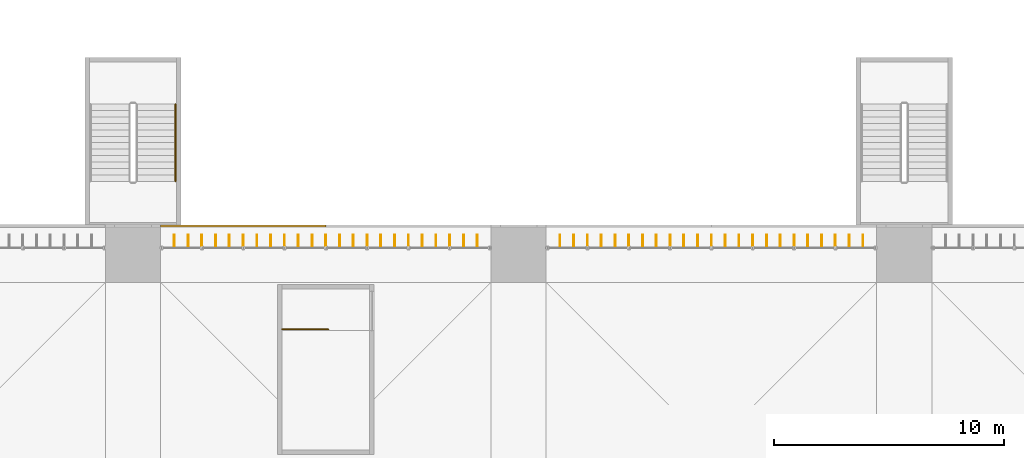
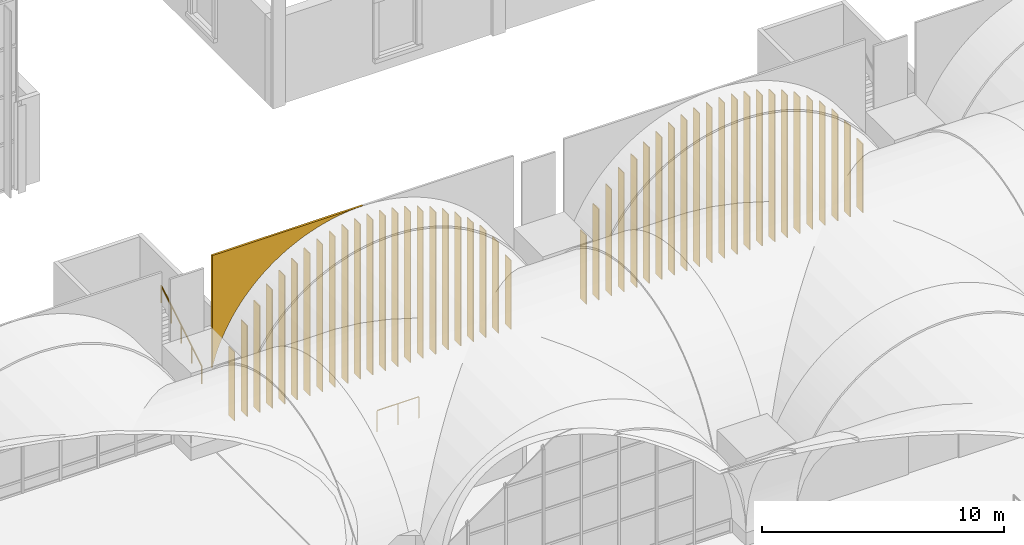
# One storey, part 157 of 169: 46 shading devices, 2 railings, 1 covering.
"""IFC4 building model written with IfcOpenShell, lengths in metres."""

import ifcopenshell
import ifcopenshell.guid

model = None  # the IFC model being written
_history = None  # IfcOwnerHistory: only IFC2X3 demands one
_inside = {}  # id of a spatial element -> (the spatial element, [elements in it])
_under = {}  # id of a project, library or spatial element -> (it, [spatial elements below it])
_declared = {}  # id of a project -> (the project, [libraries it declares])
_typed = {}  # id of a type object -> (the type object, [elements of that type])
_made_of = {}  # id of a material, layer set ... -> (it, [elements and type objects made of it])


def new_model(schema):
    """Start an empty IFC model of exactly this schema.

    Asked for "IFC4X3", IfcOpenShell would pick the latest addendum, in which some entities
    have other attributes; the version numbers below select the first issue.
    IFC2X3 requires an IfcOwnerHistory on every rooted entity: one is made here for all.
    """
    global model, _history
    if schema == "IFC4X3":
        model = ifcopenshell.file(schema_version=(4, 3, 0, 0))
    else:
        model = ifcopenshell.file(schema=schema)
    _inside.clear()
    _under.clear()
    _declared.clear()
    _typed.clear()
    _made_of.clear()
    _history = None
    if model.schema == "IFC2X3":
        org = make("IfcOrganization", Name="unknown")
        user = make(
            "IfcPersonAndOrganization",
            ThePerson=make("IfcPerson", FamilyName="unknown"),
            TheOrganization=org,
        )
        app = make(
            "IfcApplication",
            ApplicationDeveloper=org,
            Version="unknown",
            ApplicationFullName="unknown",
            ApplicationIdentifier="unknown",
        )
        _history = make(
            "IfcOwnerHistory",
            OwningUser=user,
            OwningApplication=app,
            ChangeAction="ADDED",
            CreationDate=0,
        )
    return model


def make(cls, **values):
    """One entity of the class cls with the attributes given. An attribute that is None is left unset."""
    return model.create_entity(
        cls, **{name: value for name, value in values.items() if value is not None}
    )


def rooted(cls, **values):
    """An entity with a GlobalId (a new one), such as an element, a storey or a relation."""
    return make(cls, GlobalId=ifcopenshell.guid.new(), OwnerHistory=_history, **values)


def si_unit(unit_type, name, prefix=None):
    """IfcSIUnit, for example si_unit("LENGTHUNIT", "METRE", prefix="MILLI")."""
    return make("IfcSIUnit", UnitType=unit_type, Prefix=prefix, Name=name)


def assignment(units):
    """IfcUnitAssignment: the units of a project."""
    return None if units is None else make("IfcUnitAssignment", Units=units)


def point(xyz):
    """IfcCartesianPoint."""
    return None if xyz is None else make("IfcCartesianPoint", Coordinates=xyz)


def direction(xyz):
    """IfcDirection."""
    return None if xyz is None else make("IfcDirection", DirectionRatios=xyz)


def frame(location, z_axis=None, x_axis=None):
    """IfcAxis2Placement3D, a coordinate frame: its origin and axes. An axis left out is left unset."""
    return make(
        "IfcAxis2Placement3D",
        Location=point(location),
        Axis=direction(z_axis),
        RefDirection=direction(x_axis),
    )


def frame_2d(location, x_axis=None):
    """IfcAxis2Placement2D, a coordinate frame in the plane: its origin and x axis."""
    return make(
        "IfcAxis2Placement2D", Location=point(location), RefDirection=direction(x_axis)
    )


def origin():
    """The frame at (0, 0, 0) with its axes left unset."""
    return frame((0.0, 0.0, 0.0))


def origin_2d():
    """The frame at (0, 0) in the plane with its x axis left unset."""
    return frame_2d((0.0, 0.0))


def place(relative_to, where):
    """IfcLocalPlacement: puts the frame where relative to a parent placement (None: the world)."""
    return make(
        "IfcLocalPlacement", PlacementRelTo=relative_to, RelativePlacement=where
    )


def context(
    kind, dimensions, precision=None, world=None, true_north=None, identifier=None
):
    """IfcGeometricRepresentationContext, for example the 3D "Model" context."""
    return make(
        "IfcGeometricRepresentationContext",
        ContextIdentifier=identifier,
        ContextType=kind,
        CoordinateSpaceDimension=dimensions,
        Precision=precision,
        WorldCoordinateSystem=world,
        TrueNorth=true_north,
    )


def subcontext(parent, identifier, kind, view, scale=None):
    """IfcGeometricRepresentationSubContext, for example "Body" below "Model"."""
    return make(
        "IfcGeometricRepresentationSubContext",
        ContextIdentifier=identifier,
        ContextType=kind,
        ParentContext=parent,
        TargetScale=scale,
        TargetView=view,
    )


def project(units=None, contexts=None):
    """IfcProject with its units and contexts."""
    return rooted(
        "IfcProject",
        Name="project",
        RepresentationContexts=contexts,
        UnitsInContext=assignment(units),
    )


def spatial(cls, under=None, at=None, **own):
    """A site, building, storey or space (cls), placed at a placement, below another one or the project."""
    s = rooted(cls, ObjectPlacement=at, **own)
    if under is not None:
        _under.setdefault(under.id(), (under, []))[1].append(s)
    return s


def polyline(points):
    """IfcPolyline through the points."""
    return make("IfcPolyline", Points=[point(p) for p in points])


def profile(cls, at=None, kind="AREA", **sizes):
    """A parametric profile (cls). Its sizes go by their IFC names, for example OverallWidth=200.0."""
    return make(cls, ProfileType=kind, Position=at, **sizes)


def circle(**sizes):
    """IfcCircleProfileDef."""
    return profile("IfcCircleProfileDef", **sizes)


def outline(outer, holes=None, kind="AREA"):
    """IfcArbitraryClosedProfileDef: a profile drawn as a closed curve; with holes, ...WithVoids."""
    if holes is None:
        return make("IfcArbitraryClosedProfileDef", ProfileType=kind, OuterCurve=outer)
    return make(
        "IfcArbitraryProfileDefWithVoids",
        ProfileType=kind,
        OuterCurve=outer,
        InnerCurves=holes,
    )


def extrude(swept, where, along, depth):
    """IfcExtrudedAreaSolid: the profile swept, set in the frame where, extruded along a direction by depth."""
    return make(
        "IfcExtrudedAreaSolid",
        SweptArea=swept,
        Position=where,
        ExtrudedDirection=direction(along),
        Depth=depth,
    )


def shape(context_of_items, identifier, shape_type, items):
    """IfcShapeRepresentation: the items that make up one representation, for example the "Body"."""
    return make(
        "IfcShapeRepresentation",
        ContextOfItems=context_of_items,
        RepresentationIdentifier=identifier,
        RepresentationType=shape_type,
        Items=items,
    )


def material(Name=None, Category=None):
    """IfcMaterial."""
    return make("IfcMaterial", Name=Name, Category=Category)


def layer(
    of_material, thickness, ventilated=None, Name=None, Category=None, Priority=None
):
    """IfcMaterialLayer: one layer of a wall or slab, of a material (None: an air gap)."""
    return make(
        "IfcMaterialLayer",
        Material=of_material,
        LayerThickness=thickness,
        IsVentilated=ventilated,
        Name=Name,
        Category=Category,
        Priority=Priority,
    )


def layer_set(layers, Name=None):
    """IfcMaterialLayerSet."""
    return make("IfcMaterialLayerSet", MaterialLayers=layers, LayerSetName=Name)


def made_of(thing, what):
    """Note that an element or type object is made of a material, layer set ...; save() writes the relation."""
    if what is not None:
        _made_of.setdefault(what.id(), (what, []))[1].append(thing)
    return thing


def type_object(cls, material=None, **own):
    """A type object (cls), such as IfcWallType, which elements share."""
    return made_of(rooted(cls, **own), material)


def element(
    cls,
    number,
    at=None,
    inside=None,
    cuts=None,
    type_object=None,
    material=None,
    context=None,
    identifier="Body",
    shape_type=None,
    held_by="IfcProductDefinitionShape",
    body=None,
    shapes=None,
    **own,
):
    """One element of the class cls, such as IfcWall. Its Tag is "e" and its number.

    at: its placement. inside: the storey or other place that contains it. cuts: it is an
    opening in that element (IfcRelVoidsElement). A single representation is given by context,
    identifier, shape_type and body (its items); several are given by shapes. held_by: the class
    of the entity that holds the representations. save() writes the other relations.
    """
    e = rooted(cls, Tag="e%d" % number, ObjectPlacement=at, **own)
    if body is not None:
        shapes = [shape(context, identifier, shape_type, body)]
    if shapes is not None:
        e.Representation = make(held_by, Representations=shapes)
    if inside is not None:
        _inside.setdefault(inside.id(), (inside, []))[1].append(e)
    if cuts is not None:
        rooted(
            "IfcRelVoidsElement", RelatingBuildingElement=cuts, RelatedOpeningElement=e
        )
    if type_object is not None:
        _typed.setdefault(type_object.id(), (type_object, []))[1].append(e)
    return made_of(e, material)


def aggregate(whole, parts):
    """IfcRelAggregates: a whole, such as a stair, and the parts it consists of."""
    return rooted("IfcRelAggregates", RelatingObject=whole, RelatedObjects=parts)


def save(model, path):
    """Write the relations noted so far, then the file.

    IfcRelAggregates (storeys below a building ...), IfcRelContainedInSpatialStructure (elements
    in a storey), IfcRelDefinesByType, IfcRelAssociatesMaterial and IfcRelDeclares: one each for
    every whole, place, type object, material and project.
    """
    for whole, parts in _under.values():
        aggregate(whole, parts)
    for where, things in _inside.values():
        rooted(
            "IfcRelContainedInSpatialStructure",
            RelatedElements=things,
            RelatingStructure=where,
        )
    for kind, things in _typed.values():
        rooted("IfcRelDefinesByType", RelatedObjects=things, RelatingType=kind)
    for what, things in _made_of.values():
        rooted("IfcRelAssociatesMaterial", RelatedObjects=things, RelatingMaterial=what)
    for by, libraries in _declared.values():
        rooted("IfcRelDeclares", RelatingContext=by, RelatedDefinitions=libraries)
    model.write(path)


model = new_model("IFC4")

# Units and contexts
model_context = context("Model", 3, precision=1e-05, world=origin(), true_north=direction((0.0, 1.0)))
body_context = subcontext(model_context, "Body", "Model", "MODEL_VIEW")
ifc_project = project(units=[si_unit("LENGTHUNIT", "METRE"), si_unit("AREAUNIT", "SQUARE_METRE"), si_unit("VOLUMEUNIT", "CUBIC_METRE"), si_unit("PLANEANGLEUNIT", "RADIAN"), si_unit("MASSUNIT", "GRAM", prefix="KILO")], contexts=[model_context])

# Site, building, storey
site_placement = place(None, origin())
site = spatial("IfcSite", under=ifc_project, at=site_placement, CompositionType="ELEMENT")
building_placement = place(site_placement, origin())
building = spatial("IfcBuilding", under=site, at=building_placement, Name="Verrick Yard Athletic Hall", CompositionType="ELEMENT")
storey_placement = place(building_placement, frame((0.0, 0.0, 4.39990234375)))
storey = spatial("IfcBuildingStorey", under=building, at=storey_placement, Name="L01", CompositionType="ELEMENT", Elevation=4.39990234375)

# Shading devices
ifc_material_1 = material(Name="Anodised aluminium", Category="aluminium")
ifc_layer_1 = layer(ifc_material_1, 0.0400390625)
ifc_layer_set_1 = layer_set([ifc_layer_1], Name="Arcade fin")
shading_device_type = type_object("IfcShadingDeviceType", Name="Arcade fin", PredefinedType="USERDEFINED", material=ifc_layer_set_1)
shading_device_1_placement = place(storey_placement, frame((75.39990234375, 53.17626953125, 0.0), z_axis=(0.0, 0.0, 1.0), x_axis=(0.0, 1.0, 0.0)))
element("IfcShadingDevice", 1, at=shading_device_1_placement, inside=storey, type_object=shading_device_type, Name="Fin RN3.1", ObjectType="FIN", PredefinedType="USERDEFINED", context=body_context, shape_type="SweptSolid", body=[
    extrude(outline(polyline([(0.0, 0.0), (0.5, 0.0), (0.5, 3.4775390625), (0.0, 3.4775390625), (0.0, 0.0)])), frame((0.0, 0.02001953125, 0.0), z_axis=(0.0, -1.0, 0.0), x_axis=(1.0, 0.0, 0.0)), (0.0, 0.0, 1.0), 0.0400390625),
])
shading_device_2_placement = place(storey_placement, frame((76.0, 53.17626953125, 0.0), z_axis=(0.0, 0.0, 1.0), x_axis=(0.0, 1.0, 0.0)))
element("IfcShadingDevice", 2, at=shading_device_2_placement, inside=storey, type_object=shading_device_type, Name="Fin RN3.2", ObjectType="FIN", PredefinedType="USERDEFINED", context=body_context, shape_type="SweptSolid", body=[
    extrude(outline(polyline([(0.0, 0.0), (0.5, 0.0), (0.5, 4.5966796875), (0.0, 4.5966796875), (0.0, 0.0)])), frame((0.0, 0.02001953125, 0.0), z_axis=(0.0, -1.0, 0.0), x_axis=(1.0, 0.0, 0.0)), (0.0, 0.0, 1.0), 0.0400390625),
])
shading_device_3_placement = place(storey_placement, frame((76.60009765625, 53.17626953125, 0.0), z_axis=(0.0, 0.0, 1.0), x_axis=(0.0, 1.0, 0.0)))
element("IfcShadingDevice", 3, at=shading_device_3_placement, inside=storey, type_object=shading_device_type, Name="Fin RN3.3", ObjectType="FIN", PredefinedType="USERDEFINED", context=body_context, shape_type="SweptSolid", body=[
    extrude(outline(polyline([(0.0, 0.0), (0.5, 0.0), (0.5, 5.38671875), (0.0, 5.38671875), (0.0, 0.0)])), frame((0.0, 0.02001953125, 0.0), z_axis=(0.0, -1.0, 0.0), x_axis=(1.0, 0.0, 0.0)), (0.0, 0.0, 1.0), 0.0400390625),
])
shading_device_4_placement = place(storey_placement, frame((77.199951171875, 53.17626953125, 0.0), z_axis=(0.0, 0.0, 1.0), x_axis=(0.0, 1.0, 0.0)))
element("IfcShadingDevice", 4, at=shading_device_4_placement, inside=storey, type_object=shading_device_type, Name="Fin RN3.4", ObjectType="FIN", PredefinedType="USERDEFINED", context=body_context, shape_type="SweptSolid", body=[
    extrude(outline(polyline([(0.0, 0.0), (0.5, 0.0), (0.5, 5.996826171875), (0.0, 5.996826171875), (0.0, 0.0)])), frame((0.0, 0.02001953125, 0.0), z_axis=(0.0, -1.0, 0.0), x_axis=(1.0, 0.0, 0.0)), (0.0, 0.0, 1.0), 0.0400390625),
])
shading_device_5_placement = place(storey_placement, frame((77.800048828125, 53.17626953125, 0.0), z_axis=(0.0, 0.0, 1.0), x_axis=(0.0, 1.0, 0.0)))
element("IfcShadingDevice", 5, at=shading_device_5_placement, inside=storey, type_object=shading_device_type, Name="Fin RN3.5", ObjectType="FIN", PredefinedType="USERDEFINED", context=body_context, shape_type="SweptSolid", body=[
    extrude(outline(polyline([(0.0, 0.0), (0.5, 0.0), (0.5, 6.481201171875), (0.0, 6.481201171875), (0.0, 0.0)])), frame((0.0, 0.02001953125, 0.0), z_axis=(0.0, -1.0, 0.0), x_axis=(1.0, 0.0, 0.0)), (0.0, 0.0, 1.0), 0.0400390625),
])
shading_device_6_placement = place(storey_placement, frame((78.39990234375, 53.17626953125, 0.0), z_axis=(0.0, 0.0, 1.0), x_axis=(0.0, 1.0, 0.0)))
element("IfcShadingDevice", 6, at=shading_device_6_placement, inside=storey, type_object=shading_device_type, Name="Fin RN3.6", ObjectType="FIN", PredefinedType="USERDEFINED", context=body_context, shape_type="SweptSolid", body=[
    extrude(outline(polyline([(0.0, 0.0), (0.5, 0.0), (0.5, 6.872802734375), (0.0, 6.872802734375), (0.0, 0.0)])), frame((0.0, 0.02001953125, 0.0), z_axis=(0.0, -1.0, 0.0), x_axis=(1.0, 0.0, 0.0)), (0.0, 0.0, 1.0), 0.0400390625),
])
shading_device_7_placement = place(storey_placement, frame((79.0, 53.17626953125, 0.0), z_axis=(0.0, 0.0, 1.0), x_axis=(0.0, 1.0, 0.0)))
element("IfcShadingDevice", 7, at=shading_device_7_placement, inside=storey, type_object=shading_device_type, Name="Fin RN3.7", ObjectType="FIN", PredefinedType="USERDEFINED", context=body_context, shape_type="SweptSolid", body=[
    extrude(outline(polyline([(0.0, 0.0), (0.5, 0.0), (0.5, 7.18505859375), (0.0, 7.18505859375), (0.0, 0.0)])), frame((0.0, 0.02001953125, 0.0), z_axis=(0.0, -1.0, 0.0), x_axis=(1.0, 0.0, 0.0)), (0.0, 0.0, 1.0), 0.0400390625),
])
shading_device_8_placement = place(storey_placement, frame((79.60009765625, 53.17626953125, 0.0), z_axis=(0.0, 0.0, 1.0), x_axis=(0.0, 1.0, 0.0)))
element("IfcShadingDevice", 8, at=shading_device_8_placement, inside=storey, type_object=shading_device_type, Name="Fin RN3.8", ObjectType="FIN", PredefinedType="USERDEFINED", context=body_context, shape_type="SweptSolid", body=[
    extrude(outline(polyline([(0.0, 0.0), (0.5, 0.0), (0.5, 7.4296875), (0.0, 7.4296875), (0.0, 0.0)])), frame((0.0, 0.02001953125, 0.0), z_axis=(0.0, -1.0, 0.0), x_axis=(1.0, 0.0, 0.0)), (0.0, 0.0, 1.0), 0.0400390625),
])
shading_device_9_placement = place(storey_placement, frame((80.199951171875, 53.17626953125, 0.0), z_axis=(0.0, 0.0, 1.0), x_axis=(0.0, 1.0, 0.0)))
element("IfcShadingDevice", 9, at=shading_device_9_placement, inside=storey, type_object=shading_device_type, Name="Fin RN3.9", ObjectType="FIN", PredefinedType="USERDEFINED", context=body_context, shape_type="SweptSolid", body=[
    extrude(outline(polyline([(0.0, 0.0), (0.5, 0.0), (0.5, 7.614990234375), (0.0, 7.614990234375), (0.0, 0.0)])), frame((0.0, 0.02001953125, 0.0), z_axis=(0.0, -1.0, 0.0), x_axis=(1.0, 0.0, 0.0)), (0.0, 0.0, 1.0), 0.0400390625),
])
shading_device_10_placement = place(storey_placement, frame((80.800048828125, 53.17626953125, 0.0), z_axis=(0.0, 0.0, 1.0), x_axis=(0.0, 1.0, 0.0)))
element("IfcShadingDevice", 10, at=shading_device_10_placement, inside=storey, type_object=shading_device_type, Name="Fin RN3.10", ObjectType="FIN", PredefinedType="USERDEFINED", context=body_context, shape_type="SweptSolid", body=[
    extrude(outline(polyline([(0.0, 0.0), (0.5, 0.0), (0.5, 7.744873046875), (0.0, 7.744873046875), (0.0, 0.0)])), frame((0.0, 0.02001953125, 0.0), z_axis=(0.0, -1.0, 0.0), x_axis=(1.0, 0.0, 0.0)), (0.0, 0.0, 1.0), 0.0400390625),
])
shading_device_11_placement = place(storey_placement, frame((81.39990234375, 53.17626953125, 0.0), z_axis=(0.0, 0.0, 1.0), x_axis=(0.0, 1.0, 0.0)))
element("IfcShadingDevice", 11, at=shading_device_11_placement, inside=storey, type_object=shading_device_type, Name="Fin RN3.11", ObjectType="FIN", PredefinedType="USERDEFINED", context=body_context, shape_type="SweptSolid", body=[
    extrude(outline(polyline([(0.0, 0.0), (0.5, 0.0), (0.5, 7.82275390625), (0.0, 7.82275390625), (0.0, 0.0)])), frame((0.0, 0.02001953125, 0.0), z_axis=(0.0, -1.0, 0.0), x_axis=(1.0, 0.0, 0.0)), (0.0, 0.0, 1.0), 0.0400390625),
])
shading_device_12_placement = place(storey_placement, frame((82.0, 53.17626953125, 0.0), z_axis=(0.0, 0.0, 1.0), x_axis=(0.0, 1.0, 0.0)))
element("IfcShadingDevice", 12, at=shading_device_12_placement, inside=storey, type_object=shading_device_type, Name="Fin RN3.12", ObjectType="FIN", PredefinedType="USERDEFINED", context=body_context, shape_type="SweptSolid", body=[
    extrude(outline(polyline([(0.0, 0.0), (0.5, 0.0), (0.5, 7.84912109375), (0.0, 7.84912109375), (0.0, 0.0)])), frame((0.0, 0.02001953125, 0.0), z_axis=(0.0, -1.0, 0.0), x_axis=(1.0, 0.0, 0.0)), (0.0, 0.0, 1.0), 0.0400390625),
])
shading_device_13_placement = place(storey_placement, frame((82.60009765625, 53.17626953125, 0.0), z_axis=(0.0, 0.0, 1.0), x_axis=(0.0, 1.0, 0.0)))
element("IfcShadingDevice", 13, at=shading_device_13_placement, inside=storey, type_object=shading_device_type, Name="Fin RN3.13", ObjectType="FIN", PredefinedType="USERDEFINED", context=body_context, shape_type="SweptSolid", body=[
    extrude(outline(polyline([(0.0, 0.0), (0.5, 0.0), (0.5, 7.82275390625), (0.0, 7.82275390625), (0.0, 0.0)])), frame((0.0, 0.02001953125, 0.0), z_axis=(0.0, -1.0, 0.0), x_axis=(1.0, 0.0, 0.0)), (0.0, 0.0, 1.0), 0.0400390625),
])
shading_device_14_placement = place(storey_placement, frame((83.199951171875, 53.17626953125, 0.0), z_axis=(0.0, 0.0, 1.0), x_axis=(0.0, 1.0, 0.0)))
element("IfcShadingDevice", 14, at=shading_device_14_placement, inside=storey, type_object=shading_device_type, Name="Fin RN3.14", ObjectType="FIN", PredefinedType="USERDEFINED", context=body_context, shape_type="SweptSolid", body=[
    extrude(outline(polyline([(0.0, 0.0), (0.5, 0.0), (0.5, 7.744873046875), (0.0, 7.744873046875), (0.0, 0.0)])), frame((0.0, 0.02001953125, 0.0), z_axis=(0.0, -1.0, 0.0), x_axis=(1.0, 0.0, 0.0)), (0.0, 0.0, 1.0), 0.0400390625),
])
shading_device_15_placement = place(storey_placement, frame((83.800048828125, 53.17626953125, 0.0), z_axis=(0.0, 0.0, 1.0), x_axis=(0.0, 1.0, 0.0)))
element("IfcShadingDevice", 15, at=shading_device_15_placement, inside=storey, type_object=shading_device_type, Name="Fin RN3.15", ObjectType="FIN", PredefinedType="USERDEFINED", context=body_context, shape_type="SweptSolid", body=[
    extrude(outline(polyline([(0.0, 0.0), (0.5, 0.0), (0.5, 7.614990234375), (0.0, 7.614990234375), (0.0, 0.0)])), frame((0.0, 0.02001953125, 0.0), z_axis=(0.0, -1.0, 0.0), x_axis=(1.0, 0.0, 0.0)), (0.0, 0.0, 1.0), 0.0400390625),
])
shading_device_16_placement = place(storey_placement, frame((84.39990234375, 53.17626953125, 0.0), z_axis=(0.0, 0.0, 1.0), x_axis=(0.0, 1.0, 0.0)))
element("IfcShadingDevice", 16, at=shading_device_16_placement, inside=storey, type_object=shading_device_type, Name="Fin RN3.16", ObjectType="FIN", PredefinedType="USERDEFINED", context=body_context, shape_type="SweptSolid", body=[
    extrude(outline(polyline([(0.0, 0.0), (0.5, 0.0), (0.5, 7.4296875), (0.0, 7.4296875), (0.0, 0.0)])), frame((0.0, 0.02001953125, 0.0), z_axis=(0.0, -1.0, 0.0), x_axis=(1.0, 0.0, 0.0)), (0.0, 0.0, 1.0), 0.0400390625),
])
shading_device_17_placement = place(storey_placement, frame((85.0, 53.17626953125, 0.0), z_axis=(0.0, 0.0, 1.0), x_axis=(0.0, 1.0, 0.0)))
element("IfcShadingDevice", 17, at=shading_device_17_placement, inside=storey, type_object=shading_device_type, Name="Fin RN3.17", ObjectType="FIN", PredefinedType="USERDEFINED", context=body_context, shape_type="SweptSolid", body=[
    extrude(outline(polyline([(0.0, 0.0), (0.5, 0.0), (0.5, 7.18505859375), (0.0, 7.18505859375), (0.0, 0.0)])), frame((0.0, 0.02001953125, 0.0), z_axis=(0.0, -1.0, 0.0), x_axis=(1.0, 0.0, 0.0)), (0.0, 0.0, 1.0), 0.0400390625),
])
shading_device_18_placement = place(storey_placement, frame((85.60009765625, 53.17626953125, 0.0), z_axis=(0.0, 0.0, 1.0), x_axis=(0.0, 1.0, 0.0)))
element("IfcShadingDevice", 18, at=shading_device_18_placement, inside=storey, type_object=shading_device_type, Name="Fin RN3.18", ObjectType="FIN", PredefinedType="USERDEFINED", context=body_context, shape_type="SweptSolid", body=[
    extrude(outline(polyline([(0.0, 0.0), (0.5, 0.0), (0.5, 6.872802734375), (0.0, 6.872802734375), (0.0, 0.0)])), frame((0.0, 0.02001953125, 0.0), z_axis=(0.0, -1.0, 0.0), x_axis=(1.0, 0.0, 0.0)), (0.0, 0.0, 1.0), 0.0400390625),
])
shading_device_19_placement = place(storey_placement, frame((86.199951171875, 53.17626953125, 0.0), z_axis=(0.0, 0.0, 1.0), x_axis=(0.0, 1.0, 0.0)))
element("IfcShadingDevice", 19, at=shading_device_19_placement, inside=storey, type_object=shading_device_type, Name="Fin RN3.19", ObjectType="FIN", PredefinedType="USERDEFINED", context=body_context, shape_type="SweptSolid", body=[
    extrude(outline(polyline([(0.0, 0.0), (0.5, 0.0), (0.5, 6.481201171875), (0.0, 6.481201171875), (0.0, 0.0)])), frame((0.0, 0.02001953125, 0.0), z_axis=(0.0, -1.0, 0.0), x_axis=(1.0, 0.0, 0.0)), (0.0, 0.0, 1.0), 0.0400390625),
])
shading_device_20_placement = place(storey_placement, frame((86.800048828125, 53.17626953125, 0.0), z_axis=(0.0, 0.0, 1.0), x_axis=(0.0, 1.0, 0.0)))
element("IfcShadingDevice", 20, at=shading_device_20_placement, inside=storey, type_object=shading_device_type, Name="Fin RN3.20", ObjectType="FIN", PredefinedType="USERDEFINED", context=body_context, shape_type="SweptSolid", body=[
    extrude(outline(polyline([(0.0, 0.0), (0.5, 0.0), (0.5, 5.996826171875), (0.0, 5.996826171875), (0.0, 0.0)])), frame((0.0, 0.02001953125, 0.0), z_axis=(0.0, -1.0, 0.0), x_axis=(1.0, 0.0, 0.0)), (0.0, 0.0, 1.0), 0.0400390625),
])
shading_device_21_placement = place(storey_placement, frame((87.39990234375, 53.17626953125, 0.0), z_axis=(0.0, 0.0, 1.0), x_axis=(0.0, 1.0, 0.0)))
element("IfcShadingDevice", 21, at=shading_device_21_placement, inside=storey, type_object=shading_device_type, Name="Fin RN3.21", ObjectType="FIN", PredefinedType="USERDEFINED", context=body_context, shape_type="SweptSolid", body=[
    extrude(outline(polyline([(0.0, 0.0), (0.5, 0.0), (0.5, 5.38671875), (0.0, 5.38671875), (0.0, 0.0)])), frame((0.0, 0.02001953125, 0.0), z_axis=(0.0, -1.0, 0.0), x_axis=(1.0, 0.0, 0.0)), (0.0, 0.0, 1.0), 0.0400390625),
])
shading_device_22_placement = place(storey_placement, frame((88.0, 53.17626953125, 0.0), z_axis=(0.0, 0.0, 1.0), x_axis=(0.0, 1.0, 0.0)))
element("IfcShadingDevice", 22, at=shading_device_22_placement, inside=storey, type_object=shading_device_type, Name="Fin RN3.22", ObjectType="FIN", PredefinedType="USERDEFINED", context=body_context, shape_type="SweptSolid", body=[
    extrude(outline(polyline([(0.0, 0.0), (0.5, 0.0), (0.5, 4.5966796875), (0.0, 4.5966796875), (0.0, 0.0)])), frame((0.0, 0.02001953125, 0.0), z_axis=(0.0, -1.0, 0.0), x_axis=(1.0, 0.0, 0.0)), (0.0, 0.0, 1.0), 0.0400390625),
])
for number, where, z_axis, x_axis, name in (
    (23, (88.60009765625, 53.17626953125, 0.0), (0.0, 0.0, 1.0), (0.0, 1.0, 0.0), "Fin RN3.23"),
    (24, (92.199951171875, 53.17626953125, 0.0), (0.0, 0.0, 1.0), (0.0, 1.0, 0.0), "Fin RN4.1"),
):
    element("IfcShadingDevice", number, at=place(storey_placement, frame(where, z_axis=z_axis, x_axis=x_axis)), inside=storey, type_object=shading_device_type, Name=name, ObjectType="FIN", PredefinedType="USERDEFINED", context=body_context, shape_type="SweptSolid", body=[
        extrude(outline(polyline([(0.0, 0.0), (0.5, 0.0), (0.5, 3.4775390625), (0.0, 3.4775390625), (0.0, 0.0)])), frame((0.0, 0.02001953125, 0.0), z_axis=(0.0, -1.0, 0.0), x_axis=(1.0, 0.0, 0.0)), (0.0, 0.0, 1.0), 0.0400390625),
    ])
shading_device_23_placement = place(storey_placement, frame((92.800048828125, 53.17626953125, 0.0), z_axis=(0.0, 0.0, 1.0), x_axis=(0.0, 1.0, 0.0)))
element("IfcShadingDevice", 25, at=shading_device_23_placement, inside=storey, type_object=shading_device_type, Name="Fin RN4.2", ObjectType="FIN", PredefinedType="USERDEFINED", context=body_context, shape_type="SweptSolid", body=[
    extrude(outline(polyline([(0.0, 0.0), (0.5, 0.0), (0.5, 4.5966796875), (0.0, 4.5966796875), (0.0, 0.0)])), frame((0.0, 0.02001953125, 0.0), z_axis=(0.0, -1.0, 0.0), x_axis=(1.0, 0.0, 0.0)), (0.0, 0.0, 1.0), 0.0400390625),
])
shading_device_24_placement = place(storey_placement, frame((93.39990234375, 53.17626953125, 0.0), z_axis=(0.0, 0.0, 1.0), x_axis=(0.0, 1.0, 0.0)))
element("IfcShadingDevice", 26, at=shading_device_24_placement, inside=storey, type_object=shading_device_type, Name="Fin RN4.3", ObjectType="FIN", PredefinedType="USERDEFINED", context=body_context, shape_type="SweptSolid", body=[
    extrude(outline(polyline([(0.0, 0.0), (0.5, 0.0), (0.5, 5.38671875), (0.0, 5.38671875), (0.0, 0.0)])), frame((0.0, 0.02001953125, 0.0), z_axis=(0.0, -1.0, 0.0), x_axis=(1.0, 0.0, 0.0)), (0.0, 0.0, 1.0), 0.0400390625),
])
shading_device_25_placement = place(storey_placement, frame((94.0, 53.17626953125, 0.0), z_axis=(0.0, 0.0, 1.0), x_axis=(0.0, 1.0, 0.0)))
element("IfcShadingDevice", 27, at=shading_device_25_placement, inside=storey, type_object=shading_device_type, Name="Fin RN4.4", ObjectType="FIN", PredefinedType="USERDEFINED", context=body_context, shape_type="SweptSolid", body=[
    extrude(outline(polyline([(0.0, 0.0), (0.5, 0.0), (0.5, 5.996826171875), (0.0, 5.996826171875), (0.0, 0.0)])), frame((0.0, 0.02001953125, 0.0), z_axis=(0.0, -1.0, 0.0), x_axis=(1.0, 0.0, 0.0)), (0.0, 0.0, 1.0), 0.0400390625),
])
shading_device_26_placement = place(storey_placement, frame((94.60009765625, 53.17626953125, 0.0), z_axis=(0.0, 0.0, 1.0), x_axis=(0.0, 1.0, 0.0)))
element("IfcShadingDevice", 28, at=shading_device_26_placement, inside=storey, type_object=shading_device_type, Name="Fin RN4.5", ObjectType="FIN", PredefinedType="USERDEFINED", context=body_context, shape_type="SweptSolid", body=[
    extrude(outline(polyline([(0.0, 0.0), (0.5, 0.0), (0.5, 6.481201171875), (0.0, 6.481201171875), (0.0, 0.0)])), frame((0.0, 0.02001953125, 0.0), z_axis=(0.0, -1.0, 0.0), x_axis=(1.0, 0.0, 0.0)), (0.0, 0.0, 1.0), 0.0400390625),
])
shading_device_27_placement = place(storey_placement, frame((95.199951171875, 53.17626953125, 0.0), z_axis=(0.0, 0.0, 1.0), x_axis=(0.0, 1.0, 0.0)))
element("IfcShadingDevice", 29, at=shading_device_27_placement, inside=storey, type_object=shading_device_type, Name="Fin RN4.6", ObjectType="FIN", PredefinedType="USERDEFINED", context=body_context, shape_type="SweptSolid", body=[
    extrude(outline(polyline([(0.0, 0.0), (0.5, 0.0), (0.5, 6.872802734375), (0.0, 6.872802734375), (0.0, 0.0)])), frame((0.0, 0.02001953125, 0.0), z_axis=(0.0, -1.0, 0.0), x_axis=(1.0, 0.0, 0.0)), (0.0, 0.0, 1.0), 0.0400390625),
])
shading_device_28_placement = place(storey_placement, frame((95.800048828125, 53.17626953125, 0.0), z_axis=(0.0, 0.0, 1.0), x_axis=(0.0, 1.0, 0.0)))
element("IfcShadingDevice", 30, at=shading_device_28_placement, inside=storey, type_object=shading_device_type, Name="Fin RN4.7", ObjectType="FIN", PredefinedType="USERDEFINED", context=body_context, shape_type="SweptSolid", body=[
    extrude(outline(polyline([(0.0, 0.0), (0.5, 0.0), (0.5, 7.18505859375), (0.0, 7.18505859375), (0.0, 0.0)])), frame((0.0, 0.02001953125, 0.0), z_axis=(0.0, -1.0, 0.0), x_axis=(1.0, 0.0, 0.0)), (0.0, 0.0, 1.0), 0.0400390625),
])
shading_device_29_placement = place(storey_placement, frame((96.39990234375, 53.17626953125, 0.0), z_axis=(0.0, 0.0, 1.0), x_axis=(0.0, 1.0, 0.0)))
element("IfcShadingDevice", 31, at=shading_device_29_placement, inside=storey, type_object=shading_device_type, Name="Fin RN4.8", ObjectType="FIN", PredefinedType="USERDEFINED", context=body_context, shape_type="SweptSolid", body=[
    extrude(outline(polyline([(0.0, 0.0), (0.5, 0.0), (0.5, 7.4296875), (0.0, 7.4296875), (0.0, 0.0)])), frame((0.0, 0.02001953125, 0.0), z_axis=(0.0, -1.0, 0.0), x_axis=(1.0, 0.0, 0.0)), (0.0, 0.0, 1.0), 0.0400390625),
])
shading_device_30_placement = place(storey_placement, frame((97.0, 53.17626953125, 0.0), z_axis=(0.0, 0.0, 1.0), x_axis=(0.0, 1.0, 0.0)))
element("IfcShadingDevice", 32, at=shading_device_30_placement, inside=storey, type_object=shading_device_type, Name="Fin RN4.9", ObjectType="FIN", PredefinedType="USERDEFINED", context=body_context, shape_type="SweptSolid", body=[
    extrude(outline(polyline([(0.0, 0.0), (0.5, 0.0), (0.5, 7.614990234375), (0.0, 7.614990234375), (0.0, 0.0)])), frame((0.0, 0.02001953125, 0.0), z_axis=(0.0, -1.0, 0.0), x_axis=(1.0, 0.0, 0.0)), (0.0, 0.0, 1.0), 0.0400390625),
])
shading_device_31_placement = place(storey_placement, frame((97.60009765625, 53.17626953125, 0.0), z_axis=(0.0, 0.0, 1.0), x_axis=(0.0, 1.0, 0.0)))
element("IfcShadingDevice", 33, at=shading_device_31_placement, inside=storey, type_object=shading_device_type, Name="Fin RN4.10", ObjectType="FIN", PredefinedType="USERDEFINED", context=body_context, shape_type="SweptSolid", body=[
    extrude(outline(polyline([(0.0, 0.0), (0.5, 0.0), (0.5, 7.744873046875), (0.0, 7.744873046875), (0.0, 0.0)])), frame((0.0, 0.02001953125, 0.0), z_axis=(0.0, -1.0, 0.0), x_axis=(1.0, 0.0, 0.0)), (0.0, 0.0, 1.0), 0.0400390625),
])
shading_device_32_placement = place(storey_placement, frame((98.199951171875, 53.17626953125, 0.0), z_axis=(0.0, 0.0, 1.0), x_axis=(0.0, 1.0, 0.0)))
element("IfcShadingDevice", 34, at=shading_device_32_placement, inside=storey, type_object=shading_device_type, Name="Fin RN4.11", ObjectType="FIN", PredefinedType="USERDEFINED", context=body_context, shape_type="SweptSolid", body=[
    extrude(outline(polyline([(0.0, 0.0), (0.5, 0.0), (0.5, 7.82275390625), (0.0, 7.82275390625), (0.0, 0.0)])), frame((0.0, 0.02001953125, 0.0), z_axis=(0.0, -1.0, 0.0), x_axis=(1.0, 0.0, 0.0)), (0.0, 0.0, 1.0), 0.0400390625),
])
shading_device_33_placement = place(storey_placement, frame((98.800048828125, 53.17626953125, 0.0), z_axis=(0.0, 0.0, 1.0), x_axis=(0.0, 1.0, 0.0)))
element("IfcShadingDevice", 35, at=shading_device_33_placement, inside=storey, type_object=shading_device_type, Name="Fin RN4.12", ObjectType="FIN", PredefinedType="USERDEFINED", context=body_context, shape_type="SweptSolid", body=[
    extrude(outline(polyline([(0.0, 0.0), (0.5, 0.0), (0.5, 7.84912109375), (0.0, 7.84912109375), (0.0, 0.0)])), frame((0.0, 0.02001953125, 0.0), z_axis=(0.0, -1.0, 0.0), x_axis=(1.0, 0.0, 0.0)), (0.0, 0.0, 1.0), 0.0400390625),
])
shading_device_34_placement = place(storey_placement, frame((99.39990234375, 53.17626953125, 0.0), z_axis=(0.0, 0.0, 1.0), x_axis=(0.0, 1.0, 0.0)))
element("IfcShadingDevice", 36, at=shading_device_34_placement, inside=storey, type_object=shading_device_type, Name="Fin RN4.13", ObjectType="FIN", PredefinedType="USERDEFINED", context=body_context, shape_type="SweptSolid", body=[
    extrude(outline(polyline([(0.0, 0.0), (0.5, 0.0), (0.5, 7.82275390625), (0.0, 7.82275390625), (0.0, 0.0)])), frame((0.0, 0.02001953125, 0.0), z_axis=(0.0, -1.0, 0.0), x_axis=(1.0, 0.0, 0.0)), (0.0, 0.0, 1.0), 0.0400390625),
])
shading_device_35_placement = place(storey_placement, frame((100.0, 53.17626953125, 0.0), z_axis=(0.0, 0.0, 1.0), x_axis=(0.0, 1.0, 0.0)))
element("IfcShadingDevice", 37, at=shading_device_35_placement, inside=storey, type_object=shading_device_type, Name="Fin RN4.14", ObjectType="FIN", PredefinedType="USERDEFINED", context=body_context, shape_type="SweptSolid", body=[
    extrude(outline(polyline([(0.0, 0.0), (0.5, 0.0), (0.5, 7.744873046875), (0.0, 7.744873046875), (0.0, 0.0)])), frame((0.0, 0.02001953125, 0.0), z_axis=(0.0, -1.0, 0.0), x_axis=(1.0, 0.0, 0.0)), (0.0, 0.0, 1.0), 0.0400390625),
])
shading_device_36_placement = place(storey_placement, frame((100.60009765625, 53.17626953125, 0.0), z_axis=(0.0, 0.0, 1.0), x_axis=(0.0, 1.0, 0.0)))
element("IfcShadingDevice", 38, at=shading_device_36_placement, inside=storey, type_object=shading_device_type, Name="Fin RN4.15", ObjectType="FIN", PredefinedType="USERDEFINED", context=body_context, shape_type="SweptSolid", body=[
    extrude(outline(polyline([(0.0, 0.0), (0.5, 0.0), (0.5, 7.614990234375), (0.0, 7.614990234375), (0.0, 0.0)])), frame((0.0, 0.02001953125, 0.0), z_axis=(0.0, -1.0, 0.0), x_axis=(1.0, 0.0, 0.0)), (0.0, 0.0, 1.0), 0.0400390625),
])
shading_device_37_placement = place(storey_placement, frame((101.199951171875, 53.17626953125, 0.0), z_axis=(0.0, 0.0, 1.0), x_axis=(0.0, 1.0, 0.0)))
element("IfcShadingDevice", 39, at=shading_device_37_placement, inside=storey, type_object=shading_device_type, Name="Fin RN4.16", ObjectType="FIN", PredefinedType="USERDEFINED", context=body_context, shape_type="SweptSolid", body=[
    extrude(outline(polyline([(0.0, 0.0), (0.5, 0.0), (0.5, 7.4296875), (0.0, 7.4296875), (0.0, 0.0)])), frame((0.0, 0.02001953125, 0.0), z_axis=(0.0, -1.0, 0.0), x_axis=(1.0, 0.0, 0.0)), (0.0, 0.0, 1.0), 0.0400390625),
])
shading_device_38_placement = place(storey_placement, frame((101.800048828125, 53.17626953125, 0.0), z_axis=(0.0, 0.0, 1.0), x_axis=(0.0, 1.0, 0.0)))
element("IfcShadingDevice", 40, at=shading_device_38_placement, inside=storey, type_object=shading_device_type, Name="Fin RN4.17", ObjectType="FIN", PredefinedType="USERDEFINED", context=body_context, shape_type="SweptSolid", body=[
    extrude(outline(polyline([(0.0, 0.0), (0.5, 0.0), (0.5, 7.18505859375), (0.0, 7.18505859375), (0.0, 0.0)])), frame((0.0, 0.02001953125, 0.0), z_axis=(0.0, -1.0, 0.0), x_axis=(1.0, 0.0, 0.0)), (0.0, 0.0, 1.0), 0.0400390625),
])
shading_device_39_placement = place(storey_placement, frame((102.39990234375, 53.17626953125, 0.0), z_axis=(0.0, 0.0, 1.0), x_axis=(0.0, 1.0, 0.0)))
element("IfcShadingDevice", 41, at=shading_device_39_placement, inside=storey, type_object=shading_device_type, Name="Fin RN4.18", ObjectType="FIN", PredefinedType="USERDEFINED", context=body_context, shape_type="SweptSolid", body=[
    extrude(outline(polyline([(0.0, 0.0), (0.5, 0.0), (0.5, 6.872802734375), (0.0, 6.872802734375), (0.0, 0.0)])), frame((0.0, 0.02001953125, 0.0), z_axis=(0.0, -1.0, 0.0), x_axis=(1.0, 0.0, 0.0)), (0.0, 0.0, 1.0), 0.0400390625),
])
shading_device_40_placement = place(storey_placement, frame((103.0, 53.17626953125, 0.0), z_axis=(0.0, 0.0, 1.0), x_axis=(0.0, 1.0, 0.0)))
element("IfcShadingDevice", 42, at=shading_device_40_placement, inside=storey, type_object=shading_device_type, Name="Fin RN4.19", ObjectType="FIN", PredefinedType="USERDEFINED", context=body_context, shape_type="SweptSolid", body=[
    extrude(outline(polyline([(0.0, 0.0), (0.5, 0.0), (0.5, 6.481201171875), (0.0, 6.481201171875), (0.0, 0.0)])), frame((0.0, 0.02001953125, 0.0), z_axis=(0.0, -1.0, 0.0), x_axis=(1.0, 0.0, 0.0)), (0.0, 0.0, 1.0), 0.0400390625),
])
shading_device_41_placement = place(storey_placement, frame((103.60009765625, 53.17626953125, 0.0), z_axis=(0.0, 0.0, 1.0), x_axis=(0.0, 1.0, 0.0)))
element("IfcShadingDevice", 43, at=shading_device_41_placement, inside=storey, type_object=shading_device_type, Name="Fin RN4.20", ObjectType="FIN", PredefinedType="USERDEFINED", context=body_context, shape_type="SweptSolid", body=[
    extrude(outline(polyline([(0.0, 0.0), (0.5, 0.0), (0.5, 5.996826171875), (0.0, 5.996826171875), (0.0, 0.0)])), frame((0.0, 0.02001953125, 0.0), z_axis=(0.0, -1.0, 0.0), x_axis=(1.0, 0.0, 0.0)), (0.0, 0.0, 1.0), 0.0400390625),
])
shading_device_42_placement = place(storey_placement, frame((104.199951171875, 53.17626953125, 0.0), z_axis=(0.0, 0.0, 1.0), x_axis=(0.0, 1.0, 0.0)))
element("IfcShadingDevice", 44, at=shading_device_42_placement, inside=storey, type_object=shading_device_type, Name="Fin RN4.21", ObjectType="FIN", PredefinedType="USERDEFINED", context=body_context, shape_type="SweptSolid", body=[
    extrude(outline(polyline([(0.0, 0.0), (0.5, 0.0), (0.5, 5.38671875), (0.0, 5.38671875), (0.0, 0.0)])), frame((0.0, 0.02001953125, 0.0), z_axis=(0.0, -1.0, 0.0), x_axis=(1.0, 0.0, 0.0)), (0.0, 0.0, 1.0), 0.0400390625),
])
shading_device_43_placement = place(storey_placement, frame((104.800048828125, 53.17626953125, 0.0), z_axis=(0.0, 0.0, 1.0), x_axis=(0.0, 1.0, 0.0)))
element("IfcShadingDevice", 45, at=shading_device_43_placement, inside=storey, type_object=shading_device_type, Name="Fin RN4.22", ObjectType="FIN", PredefinedType="USERDEFINED", context=body_context, shape_type="SweptSolid", body=[
    extrude(outline(polyline([(0.0, 0.0), (0.5, 0.0), (0.5, 4.5966796875), (0.0, 4.5966796875), (0.0, 0.0)])), frame((0.0, 0.02001953125, 0.0), z_axis=(0.0, -1.0, 0.0), x_axis=(1.0, 0.0, 0.0)), (0.0, 0.0, 1.0), 0.0400390625),
])
shading_device_44_placement = place(storey_placement, frame((105.39990234375, 53.17626953125, 0.0), z_axis=(0.0, 0.0, 1.0), x_axis=(0.0, 1.0, 0.0)))
element("IfcShadingDevice", 46, at=shading_device_44_placement, inside=storey, type_object=shading_device_type, Name="Fin RN4.23", ObjectType="FIN", PredefinedType="USERDEFINED", context=body_context, shape_type="SweptSolid", body=[
    extrude(outline(polyline([(0.0, 0.0), (0.5, 0.0), (0.5, 3.4775390625), (0.0, 3.4775390625), (0.0, 0.0)])), frame((0.0, 0.02001953125, 0.0), z_axis=(0.0, -1.0, 0.0), x_axis=(1.0, 0.0, 0.0)), (0.0, 0.0, 1.0), 0.0400390625),
])

# Covering
ifc_material_2 = material(Name="Limestone cladding", Category="masonry")
ifc_layer_2 = layer(ifc_material_2, 0.10009765625)
ifc_layer_set_2 = layer_set([ifc_layer_2], Name="Spandrel cladding")
covering_type = type_object("IfcCoveringType", Name="Spandrel cladding", PredefinedType="CLADDING", material=ifc_layer_set_2)
covering_placement = place(storey_placement, frame((74.800048828125, 54.050048828125, 2.352294921875), z_axis=(0.0, 0.0, 1.0), x_axis=(1.0, 0.0, 0.0)))
element("IfcCovering", 47, at=covering_placement, inside=storey, type_object=covering_type, Name="Spandrel RN3.1", PredefinedType="CLADDING", context=body_context, shape_type="SweptSolid", body=[
    extrude(outline(polyline([(0.0, 0.0), (0.052001953125, 0.213134765625), (0.142578125, 0.52294921875), (0.246337890625, 0.82861328125), (0.36328125, 1.129638671875), (0.493408203125, 1.42529296875), (0.635986328125, 1.714599609375), (0.79150390625, 1.997802734375), (0.958984375, 2.273681640625), (1.13818359375, 2.542236328125), (1.3291015625, 2.802490234375), (1.53125, 3.054443359375), (1.744140625, 3.297119140625), (1.96728515625, 3.530517578125), (2.20068359375, 3.753662109375), (2.443359375, 3.966552734375), (2.6953125, 4.168701171875), (2.95556640625, 4.359619140625), (3.22412109375, 4.538818359375), (3.5, 4.706298828125), (3.783203125, 4.86181640625), (4.072509765625, 5.00439453125), (4.3681640625, 5.134521484375), (4.669189453125, 5.25146484375), (4.974853515625, 5.355224609375), (5.28466796875, 5.44580078125), (5.598388671875, 5.5224609375), (5.9150390625, 5.58544921875), (6.234130859375, 5.634521484375), (6.554931640625, 5.669677734375), (6.877197265625, 5.69091796875), (7.199951171875, 5.69775390625), (0.0, 5.69775390625), (0.0, 0.0)])), frame((0.0, 0.050048828125, 0.0), z_axis=(0.0, -1.0, 0.0), x_axis=(1.0, 0.0, 0.0)), (0.0, 0.0, 1.0), 0.10009765625),
])

# Railings
ifc_material_3 = material(Name="Stainless steel", Category="steel")
railing_type_1 = type_object("IfcRailingType", Name="Stair and core guard 1100", PredefinedType="GUARDRAIL", material=ifc_material_3)
railing_1_placement = place(storey_placement, frame((80.10009765625, 49.550048828125, 0.0)))
element("IfcRailing", 48, at=railing_1_placement, inside=storey, type_object=railing_type_1, Name="L01 North plinth exit 2 top well guard 1", PredefinedType="GUARDRAIL", context=body_context, shape_type="SweptSolid", body=[
    extrude(circle(Radius=0.02392578125, at=origin_2d()), frame((0.0, 0.0, 1.076171875), z_axis=(1.0, 0.0, 0.0), x_axis=(0.0, 1.0, 0.0)), (0.0, 0.0, 1.0), 2.0),
    extrude(circle(Radius=0.02099609375, at=origin_2d()), origin(), (0.0, 0.0, 1.0), 1.052001953125),
    extrude(circle(Radius=0.02099609375, at=origin_2d()), frame((1.0, 0.0, 0.0)), (0.0, 0.0, 1.0), 1.052001953125),
    extrude(circle(Radius=0.02099609375, at=origin_2d()), frame((2.0, 0.0, 0.0)), (0.0, 0.0, 1.0), 1.052001953125),
])
railing_type_2 = type_object("IfcRailingType", Name="Stair handrail 900", PredefinedType="HANDRAIL", material=ifc_material_3)
railing_2_placement = place(storey_placement, frame((75.449951171875, 56.0, 0.16943359375)))
element("IfcRailing", 49, at=railing_2_placement, inside=storey, type_object=railing_type_2, Name="L01 North deck escape 3 stair handrail 1", PredefinedType="HANDRAIL", context=body_context, shape_type="SweptSolid", body=[
    extrude(circle(Radius=0.02392578125, at=origin_2d()), frame((0.0, 0.0, 0.8759765625), z_axis=(0.0, 0.855836976705, 0.517245656632), x_axis=(-1.0, 0.0, 0.0)), (0.0, 0.0, 1.0), 3.926025390625),
    extrude(circle(Radius=0.02099609375, at=origin_2d()), origin(), (0.0, 0.0, 1.0), 0.851806640625),
    extrude(circle(Radius=0.02099609375, at=origin_2d()), frame((0.0, 0.840087890625, 0.5078125)), (0.0, 0.0, 1.0), 0.851806640625),
    extrude(circle(Radius=0.02099609375, at=origin_2d()), frame((0.0, 1.68017578125, 1.015380859375)), (0.0, 0.0, 1.0), 0.851806640625),
    extrude(circle(Radius=0.02099609375, at=origin_2d()), frame((0.0, 2.52001953125, 1.52294921875)), (0.0, 0.0, 1.0), 0.851806640625),
    extrude(circle(Radius=0.02099609375, at=origin_2d()), frame((0.0, 3.360107421875, 2.03076171875)), (0.0, 0.0, 1.0), 0.851806640625),
])

save(model, "model.ifc")
